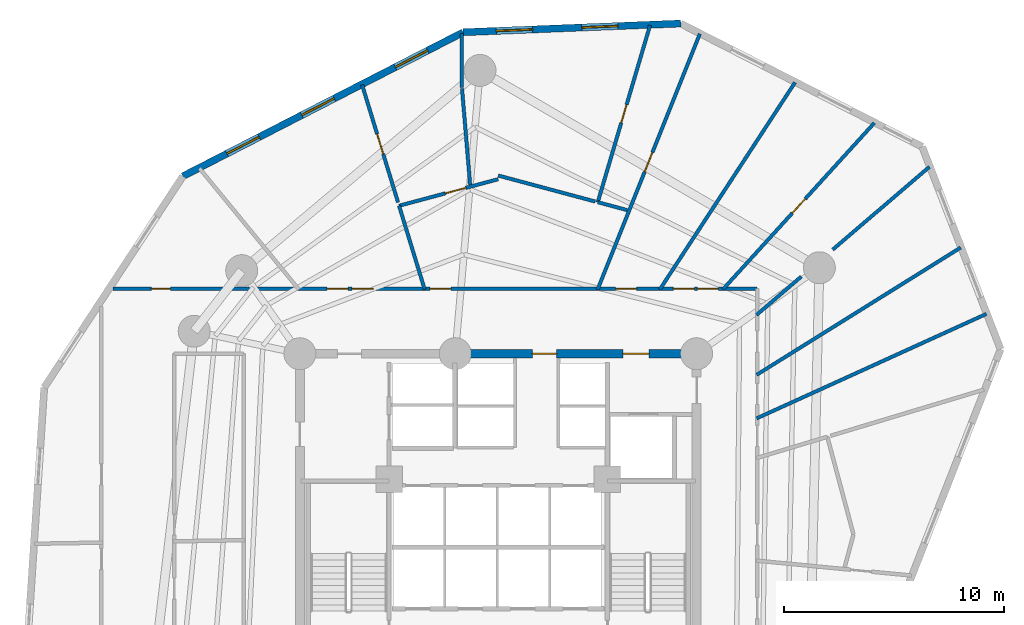
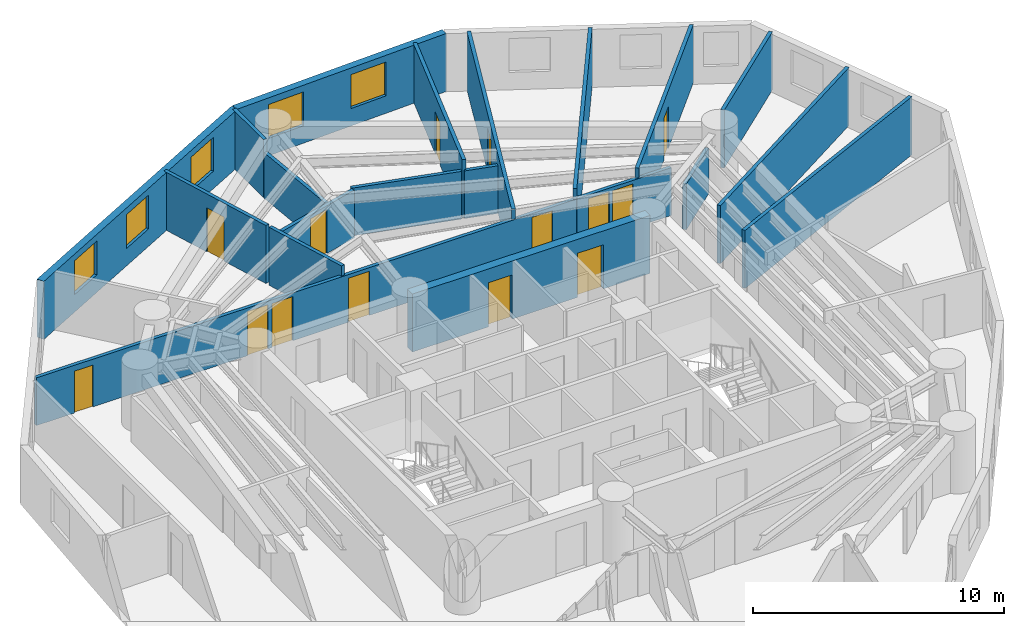
# One storey, part 6 of 8: 19 walls, 14 doors, 5 windows, 19 openings.
"""IFC4 building model written with IfcOpenShell, lengths in metres."""

from ifc_helpers import new_model, si_unit, direction, frame, frame_2d, origin, origin_with_axes, place, context, subcontext, project, spatial, rectangle, extrude, source, transform, mapped, material, layer, layer_set, type_object, element, fill, save


model = new_model("IFC4")

# Units and contexts
model_context = context("Model", 3, precision=1e-05, world=origin(), true_north=direction((0.0, 1.0)))
body_context = subcontext(model_context, "Body", "Model", "MODEL_VIEW")
ifc_project = project(units=[si_unit("LENGTHUNIT", "METRE"), si_unit("AREAUNIT", "SQUARE_METRE"), si_unit("VOLUMEUNIT", "CUBIC_METRE"), si_unit("PLANEANGLEUNIT", "RADIAN"), si_unit("MASSUNIT", "GRAM", prefix="KILO")], contexts=[model_context])

# Site, building, storey
site_placement = place(None, origin())
site = spatial("IfcSite", under=ifc_project, at=site_placement, CompositionType="ELEMENT")
building_placement = place(site_placement, origin())
building = spatial("IfcBuilding", under=site, at=building_placement, Name="Karkom Vertical University and Central Library", CompositionType="ELEMENT")
storey_placement = place(building_placement, frame((0.0, 0.0, 105.35009765625)))
storey = spatial("IfcBuildingStorey", under=building, at=storey_placement, Name="L28", CompositionType="ELEMENT", Elevation=105.35009765625)

# Wall, openings, windows
ifc_material_1 = material(Name="Brick-faced precast concrete C45/55", Category="masonry")
ifc_layer_1 = layer(ifc_material_1, 0.320068359375)
ifc_layer_set_1 = layer_set([ifc_layer_1], Name="Brick-faced precast concrete C45/55")
wall_type_1 = type_object("IfcWallType", Name="ENV-WL-BRK-320", PredefinedType="SOLIDWALL", material=ifc_layer_set_1)
wall_1_placement = place(storey_placement, frame((36.782958984375, 49.679443359375, 0.0), z_axis=(0.0, 0.0, 1.0), x_axis=(-0.999202063829, -0.039940401087, 0.0)))
wall_1 = element("IfcWall", 1, at=wall_1_placement, inside=storey, type_object=wall_type_1, Name="Level 28 Brick-Faced Precast Facade Wall 11", PredefinedType="SOLIDWALL", context=body_context, shape_type="SweptSolid", body=[
    extrude(rectangle(XDim=9.8779296875, YDim=0.320068359375, at=frame_2d((4.93896484375, 0.0))), origin(), (0.0, 0.0, 1.0), 2.824951171875),
])
opening_1_placement = place(wall_1_placement, frame((2.845947265625, 0.0, 0.85009765625)))
opening_1 = element("IfcOpeningElement", 2, at=opening_1_placement, cuts=wall_1, Name="Opening WN-06", PredefinedType="OPENING", context=body_context, shape_type="SweptSolid", body=[
    extrude(rectangle(XDim=1.64990234375, YDim=1.64990234375, at=frame_2d((0.824951171875, 0.824951171875))), frame((0.0, 0.169921875, 0.0), z_axis=(0.0, -1.0, 0.0), x_axis=(1.0, 0.0, 0.0)), (0.0, 0.0, 1.0), 0.340087890625),
])
opening_2_placement = place(wall_1_placement, frame((6.730712890625, 0.0, 0.85009765625)))
opening_2 = element("IfcOpeningElement", 3, at=opening_2_placement, cuts=wall_1, Name="Opening WN-06", PredefinedType="OPENING", context=body_context, shape_type="SweptSolid", body=[
    extrude(rectangle(XDim=1.64990234375, YDim=1.64990234375, at=frame_2d((0.824951171875, 0.824951171875))), frame((0.0, 0.169921875, 0.0), z_axis=(0.0, -1.0, 0.0), x_axis=(1.0, 0.0, 0.0)), (0.0, 0.0, 1.0), 0.340087890625),
])
ifc_material_2 = material(Name="Aluminium thermal-break frame with solar-control IGU", Category="aluminium")
window_type = type_object("IfcWindowType", Name="ENV-WIN-WN-06", PartitioningType="SINGLE_PANEL", PredefinedType="WINDOW", material=ifc_material_2)
shared_shape_1 = source(origin_with_axes(), body_context, "Body", "SweptSolid", [
    extrude(rectangle(XDim=1.64990234375, YDim=1.64990234375, at=frame_2d((0.824951171875, 0.824951171875))), frame((0.0, 0.030029296875, 0.0), z_axis=(0.0, -1.0, 0.0), x_axis=(1.0, 0.0, 0.0)), (0.0, 0.0, 1.0), 0.06005859375),
])
window_1_placement = place(opening_1_placement, origin())
window_1 = element("IfcWindow", 4, at=window_1_placement, inside=storey, type_object=window_type, Name="Level 28 Punched Window 11.1", OverallHeight=1.64990234375, OverallWidth=1.64990234375, PartitioningType="SINGLE_PANEL", PredefinedType="WINDOW", context=body_context, shape_type="MappedRepresentation", body=[
    mapped(shared_shape_1, transform((0.0, 0.0, 0.0), scale=1.0)),
])
fill(opening_1, window_1)
window_2_placement = place(opening_2_placement, origin())
window_2 = element("IfcWindow", 5, at=window_2_placement, inside=storey, type_object=window_type, Name="Level 28 Punched Window 11.2", OverallHeight=1.64990234375, OverallWidth=1.64990234375, PartitioningType="SINGLE_PANEL", PredefinedType="WINDOW", context=body_context, shape_type="MappedRepresentation", body=[
    mapped(shared_shape_1, transform((0.0, 0.0, 0.0), scale=1.0)),
])
fill(opening_2, window_2)

wall_2_placement = place(storey_placement, frame((26.912841796875, 49.284912109375, 0.0), z_axis=(0.0, 0.0, 1.0), x_axis=(-0.889547707618, -0.456842287745, 0.0)))
wall_2 = element("IfcWall", 6, at=wall_2_placement, inside=storey, type_object=wall_type_1, Name="Level 28 Brick-Faced Precast Facade Wall 12", PredefinedType="SOLIDWALL", context=body_context, shape_type="SweptSolid", body=[
    extrude(rectangle(XDim=14.302490234375, YDim=0.320068359375, at=frame_2d((7.1513671875, 0.0))), origin(), (0.0, 0.0, 1.0), 2.824951171875),
])
opening_3_placement = place(wall_2_placement, frame((1.813232421875, 0.0, 0.85009765625)))
opening_3 = element("IfcOpeningElement", 7, at=opening_3_placement, cuts=wall_2, Name="Opening WN-06", PredefinedType="OPENING", context=body_context, shape_type="SweptSolid", body=[
    extrude(rectangle(XDim=1.64990234375, YDim=1.64990234375, at=frame_2d((0.824951171875, 0.824951171875))), frame((0.0, 0.169921875, 0.0), z_axis=(0.0, -1.0, 0.0), x_axis=(1.0, 0.0, 0.0)), (0.0, 0.0, 1.0), 0.340087890625),
])
opening_4_placement = place(wall_2_placement, frame((6.5830078125, 0.0, 0.85009765625)))
opening_4 = element("IfcOpeningElement", 8, at=opening_4_placement, cuts=wall_2, Name="Opening WN-06", PredefinedType="OPENING", context=body_context, shape_type="SweptSolid", body=[
    extrude(rectangle(XDim=1.64990234375, YDim=1.64990234375, at=frame_2d((0.824951171875, 0.824951171875))), frame((0.0, 0.169921875, 0.0), z_axis=(0.0, -1.0, 0.0), x_axis=(1.0, 0.0, 0.0)), (0.0, 0.0, 1.0), 0.340087890625),
])
opening_5_placement = place(wall_2_placement, frame((10.402587890625, 0.0, 0.85009765625)))
opening_5 = element("IfcOpeningElement", 9, at=opening_5_placement, cuts=wall_2, Name="Opening WN-06", PredefinedType="OPENING", context=body_context, shape_type="SweptSolid", body=[
    extrude(rectangle(XDim=1.64990234375, YDim=1.64990234375, at=frame_2d((0.824951171875, 0.824951171875))), frame((0.0, 0.169921875, 0.0), z_axis=(0.0, -1.0, 0.0), x_axis=(1.0, 0.0, 0.0)), (0.0, 0.0, 1.0), 0.340087890625),
])
window_3_placement = place(opening_3_placement, origin())
window_3 = element("IfcWindow", 10, at=window_3_placement, inside=storey, type_object=window_type, Name="Level 28 Punched Window 12.1", OverallHeight=1.64990234375, OverallWidth=1.64990234375, PartitioningType="SINGLE_PANEL", PredefinedType="WINDOW", context=body_context, shape_type="MappedRepresentation", body=[
    mapped(shared_shape_1, transform((0.0, 0.0, 0.0), scale=1.0)),
])
fill(opening_3, window_3)
window_4_placement = place(opening_4_placement, origin())
window_4 = element("IfcWindow", 11, at=window_4_placement, inside=storey, type_object=window_type, Name="Level 28 Punched Window 12.2", OverallHeight=1.64990234375, OverallWidth=1.64990234375, PartitioningType="SINGLE_PANEL", PredefinedType="WINDOW", context=body_context, shape_type="MappedRepresentation", body=[
    mapped(shared_shape_1, transform((0.0, 0.0, 0.0), scale=1.0)),
])
fill(opening_4, window_4)
window_5_placement = place(opening_5_placement, origin())
window_5 = element("IfcWindow", 12, at=window_5_placement, inside=storey, type_object=window_type, Name="Level 28 Punched Window 12.3", OverallHeight=1.64990234375, OverallWidth=1.64990234375, PartitioningType="SINGLE_PANEL", PredefinedType="WINDOW", context=body_context, shape_type="MappedRepresentation", body=[
    mapped(shared_shape_1, transform((0.0, 0.0, 0.0), scale=1.0)),
])
fill(opening_5, window_5)

# Wall, openings, doors
ifc_material_3 = material(Name="Insulated metal-stud drywall 160mm", Category="gypsum")
ifc_layer_2 = layer(ifc_material_3, 0.159912109375)
ifc_layer_set_2 = layer_set([ifc_layer_2], Name="Insulated metal-stud drywall 160mm")
wall_type_2 = type_object("IfcWallType", Name="INT-WL-COR-160", PredefinedType="PARTITIONING", material=ifc_layer_set_2)
wall_3_placement = place(storey_placement, frame((11.018310546875, 37.64990234375, 0.0), z_axis=(0.0, 0.0, 1.0), x_axis=(1.0, 0.0, 0.0)))
wall_3 = element("IfcWall", 13, at=wall_3_placement, inside=storey, type_object=wall_type_2, Name="Level 28 Interior Partition Wall L28-CORW-CW-003", PredefinedType="PARTITIONING", context=body_context, shape_type="SweptSolid", body=[
    extrude(rectangle(XDim=29.231689453125, YDim=0.159912109375, at=frame_2d((14.61572265625, 0.0))), origin(), (0.0, 0.0, 1.0), 2.324951171875),
])
opening_6_placement = place(wall_3_placement, frame((26.5185546875, 0.0, 0.0)))
opening_6 = element("IfcOpeningElement", 14, at=opening_6_placement, cuts=wall_3, Name="Opening D-RM1", PredefinedType="OPENING", context=body_context, shape_type="SweptSolid", body=[
    extrude(rectangle(XDim=0.949951171875, YDim=2.14990234375, at=frame_2d((0.47509765625, 1.074951171875))), frame((0.0, 0.08984375, 0.0), z_axis=(0.0, -1.0, 0.0), x_axis=(1.0, 0.0, 0.0)), (0.0, 0.0, 1.0), 0.179931640625),
])
opening_7_placement = place(wall_3_placement, frame((25.425537109375, 0.0, 0.0)))
opening_7 = element("IfcOpeningElement", 15, at=opening_7_placement, cuts=wall_3, Name="Opening D-RM1", PredefinedType="OPENING", context=body_context, shape_type="SweptSolid", body=[
    extrude(rectangle(XDim=0.949951171875, YDim=2.14990234375, at=frame_2d((0.47509765625, 1.074951171875))), frame((0.0, 0.08984375, 0.0), z_axis=(0.0, -1.0, 0.0), x_axis=(1.0, 0.0, 0.0)), (0.0, 0.0, 1.0), 0.179931640625),
])
opening_8_placement = place(wall_3_placement, frame((22.804931640625, 0.0, 0.0)))
opening_8 = element("IfcOpeningElement", 16, at=opening_8_placement, cuts=wall_3, Name="Opening FD-RM2", PredefinedType="OPENING", context=body_context, shape_type="SweptSolid", body=[
    extrude(rectangle(XDim=0.9599609375, YDim=2.14990234375, at=frame_2d((0.47998046875, 1.074951171875))), frame((0.0, 0.08984375, 0.0), z_axis=(0.0, -1.0, 0.0), x_axis=(1.0, 0.0, 0.0)), (0.0, 0.0, 1.0), 0.179931640625),
])
opening_9_placement = place(wall_3_placement, frame((14.37548828125, 0.0, 0.0)))
opening_9 = element("IfcOpeningElement", 17, at=opening_9_placement, cuts=wall_3, Name="Opening FD-RM2", PredefinedType="OPENING", context=body_context, shape_type="SweptSolid", body=[
    extrude(rectangle(XDim=0.9599609375, YDim=2.14990234375, at=frame_2d((0.47998046875, 1.074951171875))), frame((0.0, 0.08984375, 0.0), z_axis=(0.0, -1.0, 0.0), x_axis=(1.0, 0.0, 0.0)), (0.0, 0.0, 1.0), 0.179931640625),
])
opening_10_placement = place(wall_3_placement, frame((9.71728515625, 0.0, 0.0)))
opening_10 = element("IfcOpeningElement", 18, at=opening_10_placement, cuts=wall_3, Name="Opening D-RM1", PredefinedType="OPENING", context=body_context, shape_type="SweptSolid", body=[
    extrude(rectangle(XDim=0.949951171875, YDim=2.14990234375, at=frame_2d((0.47509765625, 1.074951171875))), frame((0.0, 0.08984375, 0.0), z_axis=(0.0, -1.0, 0.0), x_axis=(1.0, 0.0, 0.0)), (0.0, 0.0, 1.0), 0.179931640625),
])
opening_11_placement = place(wall_3_placement, frame((10.84521484375, 0.0, 0.0)))
opening_11 = element("IfcOpeningElement", 19, at=opening_11_placement, cuts=wall_3, Name="Opening FD-RM2", PredefinedType="OPENING", context=body_context, shape_type="SweptSolid", body=[
    extrude(rectangle(XDim=0.9599609375, YDim=2.14990234375, at=frame_2d((0.47998046875, 1.074951171875))), frame((0.0, 0.08984375, 0.0), z_axis=(0.0, -1.0, 0.0), x_axis=(1.0, 0.0, 0.0)), (0.0, 0.0, 1.0), 0.179931640625),
])
opening_12_placement = place(wall_3_placement, frame((1.750732421875, 0.0, 0.0)))
opening_12 = element("IfcOpeningElement", 20, at=opening_12_placement, cuts=wall_3, Name="Opening FD-BTH2", PredefinedType="OPENING", context=body_context, shape_type="SweptSolid", body=[
    extrude(rectangle(XDim=0.860107421875, YDim=2.0400390625, at=frame_2d((0.43017578125, 1.02001953125))), frame((0.0, 0.08984375, 0.0), z_axis=(0.0, -1.0, 0.0), x_axis=(1.0, 0.0, 0.0)), (0.0, 0.0, 1.0), 0.179931640625),
])
ifc_material_4 = material(Name="Fire-rated oak veneer door", Category="wood")
door_type_1 = type_object("IfcDoorType", Name="INT-DR-FRM2", OperationType="NOTDEFINED", PredefinedType="DOOR", material=ifc_material_4)
shared_shape_2 = source(origin_with_axes(), body_context, "Body", "SweptSolid", [
    extrude(rectangle(XDim=0.9599609375, YDim=2.14990234375, at=frame_2d((0.47998046875, 1.074951171875))), frame((0.0, 0.02490234375, 0.0), z_axis=(0.0, -1.0, 0.0), x_axis=(1.0, 0.0, 0.0)), (0.0, 0.0, 1.0), 0.050048828125),
])
door_1_placement = place(opening_8_placement, origin())
door_1 = element("IfcDoor", 21, at=door_1_placement, inside=storey, type_object=door_type_1, Name="Level 28 Room Entry Door 180", OperationType="SINGLE_SWING_LEFT", OverallHeight=2.14990234375, OverallWidth=0.9599609375, PredefinedType="DOOR", context=body_context, shape_type="MappedRepresentation", body=[
    mapped(shared_shape_2, transform((0.0, 0.0, 0.0), scale=1.0)),
])
fill(opening_8, door_1)
door_2_placement = place(opening_9_placement, origin())
door_2 = element("IfcDoor", 22, at=door_2_placement, inside=storey, type_object=door_type_1, Name="Level 28 Room Entry Door 210", OperationType="SINGLE_SWING_RIGHT", OverallHeight=2.14990234375, OverallWidth=0.9599609375, PredefinedType="DOOR", context=body_context, shape_type="MappedRepresentation", body=[
    mapped(shared_shape_2, transform((0.0, 0.0, 0.0), scale=1.0)),
])
fill(opening_9, door_2)
door_3_placement = place(opening_11_placement, origin())
door_3 = element("IfcDoor", 23, at=door_3_placement, inside=storey, type_object=door_type_1, Name="Level 28 Room Entry Door 240", OperationType="SINGLE_SWING_RIGHT", OverallHeight=2.14990234375, OverallWidth=0.9599609375, PredefinedType="DOOR", context=body_context, shape_type="MappedRepresentation", body=[
    mapped(shared_shape_2, transform((0.0, 0.0, 0.0), scale=1.0)),
])
fill(opening_11, door_3)
ifc_material_5 = material(Name="Fire-rated moisture-resistant oak door", Category="wood")
door_type_2 = type_object("IfcDoorType", Name="INT-DR-FBTH2", OperationType="NOTDEFINED", PredefinedType="DOOR", material=ifc_material_5)
shared_shape_3 = source(origin_with_axes(), body_context, "Body", "SweptSolid", [
    extrude(rectangle(XDim=0.860107421875, YDim=2.0400390625, at=frame_2d((0.43017578125, 1.02001953125))), frame((0.0, 0.02490234375, 0.0), z_axis=(0.0, -1.0, 0.0), x_axis=(1.0, 0.0, 0.0)), (0.0, 0.0, 1.0), 0.050048828125),
])
door_4_placement = place(opening_12_placement, origin())
door_4 = element("IfcDoor", 24, at=door_4_placement, inside=storey, type_object=door_type_2, Name="Level 28 University Seminar Classroom Entry Door", OperationType="SINGLE_SWING_RIGHT", OverallHeight=2.0400390625, OverallWidth=0.860107421875, PredefinedType="DOOR", context=body_context, shape_type="MappedRepresentation", body=[
    mapped(shared_shape_3, transform((0.0, 0.0, 0.0), scale=1.0)),
])
fill(opening_12, door_4)
ifc_material_6 = material(Name="Solid-core oak veneer door", Category="wood")
door_type_3 = type_object("IfcDoorType", Name="INT-DR-RM1", OperationType="NOTDEFINED", PredefinedType="DOOR", material=ifc_material_6)
shared_shape_4 = source(origin_with_axes(), body_context, "Body", "SweptSolid", [
    extrude(rectangle(XDim=0.949951171875, YDim=2.14990234375, at=frame_2d((0.47509765625, 1.074951171875))), frame((0.0, 0.02490234375, 0.0), z_axis=(0.0, -1.0, 0.0), x_axis=(1.0, 0.0, 0.0)), (0.0, 0.0, 1.0), 0.050048828125),
])
door_5_placement = place(opening_6_placement, origin())
door_5 = element("IfcDoor", 25, at=door_5_placement, inside=storey, type_object=door_type_3, Name="Level 28 Room Entry Door 160", OperationType="SINGLE_SWING_LEFT", OverallHeight=2.14990234375, OverallWidth=0.949951171875, PredefinedType="DOOR", context=body_context, shape_type="MappedRepresentation", body=[
    mapped(shared_shape_4, transform((0.0, 0.0, 0.0), scale=1.0)),
])
fill(opening_6, door_5)
door_6_placement = place(opening_7_placement, origin())
door_6 = element("IfcDoor", 26, at=door_6_placement, inside=storey, type_object=door_type_3, Name="Level 28 Room Entry Door 170", OperationType="SINGLE_SWING_RIGHT", OverallHeight=2.14990234375, OverallWidth=0.949951171875, PredefinedType="DOOR", context=body_context, shape_type="MappedRepresentation", body=[
    mapped(shared_shape_4, transform((0.0, 0.0, 0.0), scale=1.0)),
])
fill(opening_7, door_6)
door_7_placement = place(opening_10_placement, origin())
door_7 = element("IfcDoor", 27, at=door_7_placement, inside=storey, type_object=door_type_3, Name="Level 28 Room Entry Door 230", OperationType="SINGLE_SWING_LEFT", OverallHeight=2.14990234375, OverallWidth=0.949951171875, PredefinedType="DOOR", context=body_context, shape_type="MappedRepresentation", body=[
    mapped(shared_shape_4, transform((0.0, 0.0, 0.0), scale=1.0)),
])
fill(opening_10, door_7)

# Wall, opening, door
wall_4_placement = place(storey_placement, frame((33.006591796875, 37.608154296875, 0.0), z_axis=(0.0, 0.0, 1.0), x_axis=(0.371289618401, 0.928517107687, 0.0)))
wall_4 = element("IfcWall", 28, at=wall_4_placement, inside=storey, type_object=wall_type_2, Name="Level 28 Interior Partition Wall L28-PW-026", PredefinedType="PARTITIONING", context=body_context, shape_type="SweptSolid", body=[
    extrude(rectangle(XDim=12.49609375, YDim=0.159912109375, at=frame_2d((6.248046875, 0.0))), origin(), (0.0, 0.0, 1.0), 2.824951171875),
])
opening_13_placement = place(wall_4_placement, frame((5.748046875, 0.0, 0.0)))
opening_13 = element("IfcOpeningElement", 29, at=opening_13_placement, cuts=wall_4, Name="Opening D-RM1", PredefinedType="OPENING", context=body_context, shape_type="SweptSolid", body=[
    extrude(rectangle(XDim=0.949951171875, YDim=2.14990234375, at=frame_2d((0.47509765625, 1.074951171875))), frame((0.0, 0.08984375, 0.0), z_axis=(0.0, -1.0, 0.0), x_axis=(1.0, 0.0, 0.0)), (0.0, 0.0, 1.0), 0.179931640625),
])
door_8_placement = place(opening_13_placement, origin())
door_8 = element("IfcDoor", 30, at=door_8_placement, inside=storey, type_object=door_type_3, Name="Level 28 Room Entry Door 190", OperationType="SINGLE_SWING_LEFT", OverallHeight=2.14990234375, OverallWidth=0.949951171875, PredefinedType="DOOR", context=body_context, shape_type="MappedRepresentation", body=[
    mapped(shared_shape_4, transform((0.0, 0.0, 0.0), scale=1.0)),
])
fill(opening_13, door_8)

# Walls
wall_5_placement = place(storey_placement, frame((40.22265625, 31.764892578125, 0.0), z_axis=(0.0, 0.0, 1.0), x_axis=(0.910305874459, 0.413936245, 0.0)))
element("IfcWall", 31, at=wall_5_placement, inside=storey, type_object=wall_type_2, Name="Level 28 Interior Partition Wall L28-PW-020", PredefinedType="PARTITIONING", context=body_context, shape_type="SweptSolid", body=[
    extrude(rectangle(XDim=11.452880859375, YDim=0.159912109375, at=frame_2d((5.7265625, 0.0))), origin(), (0.0, 0.0, 1.0), 2.824951171875),
])
wall_6_placement = place(storey_placement, frame((35.82958984375, 37.6123046875, 0.0), z_axis=(0.0, 0.0, 1.0), x_axis=(0.546828428928, 0.837244689034, 0.0)))
element("IfcWall", 32, at=wall_6_placement, inside=storey, type_object=wall_type_2, Name="Level 28 Interior Partition Wall L28-PW-025", PredefinedType="PARTITIONING", context=body_context, shape_type="SweptSolid", body=[
    extrude(rectangle(XDim=11.221923828125, YDim=0.159912109375, at=frame_2d((5.61083984375, 0.0))), origin(), (0.0, 0.0, 1.0), 2.824951171875),
])
wall_7_placement = place(storey_placement, frame((40.224609375, 33.7421875, 0.0), z_axis=(0.0, 0.0, 1.0), x_axis=(0.848478174112, 0.52923037333, 0.0)))
element("IfcWall", 33, at=wall_7_placement, inside=storey, type_object=wall_type_2, Name="Level 28 Interior Partition Wall L28-PW-021", PredefinedType="PARTITIONING", context=body_context, shape_type="SweptSolid", body=[
    extrude(rectangle(XDim=10.910400390625, YDim=0.159912109375, at=frame_2d((5.455078125, 0.0))), origin(), (0.0, 0.0, 1.0), 2.824951171875),
])

# Wall, opening, door
wall_8_placement = place(storey_placement, frame((38.7021484375, 37.627685546875, 0.0), z_axis=(0.0, 0.0, 1.0), x_axis=(0.672855104657, 0.739774295402, 0.0)))
wall_8 = element("IfcWall", 34, at=wall_8_placement, inside=storey, type_object=wall_type_2, Name="Level 28 Interior Partition Wall L28-PW-024", PredefinedType="PARTITIONING", context=body_context, shape_type="SweptSolid", body=[
    extrude(rectangle(XDim=10.197021484375, YDim=0.159912109375, at=frame_2d((5.0986328125, 0.0))), origin(), (0.0, 0.0, 1.0), 2.824951171875),
])
opening_14_placement = place(wall_8_placement, frame((4.66845703125, 0.0, 0.0)))
opening_14 = element("IfcOpeningElement", 35, at=opening_14_placement, cuts=wall_8, Name="Opening FD-BTH2", PredefinedType="OPENING", context=body_context, shape_type="SweptSolid", body=[
    extrude(rectangle(XDim=0.860107421875, YDim=2.0400390625, at=frame_2d((0.43017578125, 1.02001953125))), frame((0.0, 0.08984375, 0.0), z_axis=(0.0, -1.0, 0.0), x_axis=(1.0, 0.0, 0.0)), (0.0, 0.0, 1.0), 0.179931640625),
])
door_9_placement = place(opening_14_placement, origin())
door_9 = element("IfcDoor", 36, at=door_9_placement, inside=storey, type_object=door_type_2, Name="Level 28 Departmental Reference Reading Library Entry Door", OperationType="SINGLE_SWING_RIGHT", OverallHeight=2.0400390625, OverallWidth=0.860107421875, PredefinedType="DOOR", context=body_context, shape_type="MappedRepresentation", body=[
    mapped(shared_shape_3, transform((0.0, 0.0, 0.0), scale=1.0)),
])
fill(opening_14, door_9)

wall_9_placement = place(storey_placement, frame((33.016845703125, 41.572509765625, 0.0), z_axis=(0.0, 0.0, 1.0), x_axis=(0.283401651714, 0.959001305424, 0.0)))
wall_9 = element("IfcWall", 37, at=wall_9_placement, inside=storey, type_object=wall_type_2, Name="Level 28 Interior Partition Wall L28-PW-027", PredefinedType="PARTITIONING", context=body_context, shape_type="SweptSolid", body=[
    extrude(rectangle(XDim=8.36572265625, YDim=0.159912109375, at=frame_2d((4.182861328125, 0.0))), origin(), (0.0, 0.0, 1.0), 2.824951171875),
])
opening_15_placement = place(wall_9_placement, frame((3.752685546875, 0.0, 0.0)))
opening_15 = element("IfcOpeningElement", 38, at=opening_15_placement, cuts=wall_9, Name="Opening FD-BTH2", PredefinedType="OPENING", context=body_context, shape_type="SweptSolid", body=[
    extrude(rectangle(XDim=0.860107421875, YDim=2.0400390625, at=frame_2d((0.43017578125, 1.02001953125))), frame((0.0, 0.08984375, 0.0), z_axis=(0.0, -1.0, 0.0), x_axis=(1.0, 0.0, 0.0)), (0.0, 0.0, 1.0), 0.179931640625),
])
door_10_placement = place(opening_15_placement, origin())
door_10 = element("IfcDoor", 39, at=door_10_placement, inside=storey, type_object=door_type_2, Name="Level 28 Departmental Reference Reading Library Entry Door", OperationType="SINGLE_SWING_LEFT", OverallHeight=2.0400390625, OverallWidth=0.860107421875, PredefinedType="DOOR", context=body_context, shape_type="MappedRepresentation", body=[
    mapped(shared_shape_3, transform((0.0, 0.0, 0.0), scale=1.0)),
])
fill(opening_15, door_10)

# Wall
wall_10_placement = place(storey_placement, frame((43.674072265625, 39.419921875, 0.0), z_axis=(0.0, 0.0, 1.0), x_axis=(0.759429558406, 0.650589537128, 0.0)))
element("IfcWall", 40, at=wall_10_placement, inside=storey, type_object=wall_type_2, Name="Level 28 Interior Partition Wall L28-PW-022", PredefinedType="PARTITIONING", context=body_context, shape_type="SweptSolid", body=[
    extrude(rectangle(XDim=5.7783203125, YDim=0.159912109375, at=frame_2d((2.88916015625, 0.0))), origin(), (0.0, 0.0, 1.0), 2.824951171875),
])

# Wall, opening, door
wall_11_placement = place(storey_placement, frame((23.95556640625, 41.565185546875, 0.0), z_axis=(0.0, 0.0, 1.0), x_axis=(-0.292467613213, 0.956275428536, 0.0)))
wall_11 = element("IfcWall", 41, at=wall_11_placement, inside=storey, type_object=wall_type_2, Name="Level 28 Interior Partition Wall L28-PW-036", PredefinedType="PARTITIONING", context=body_context, shape_type="SweptSolid", body=[
    extrude(rectangle(XDim=5.577880859375, YDim=0.159912109375, at=frame_2d((2.7890625, 0.0))), origin(), (0.0, 0.0, 1.0), 2.824951171875),
])
opening_16_placement = place(wall_11_placement, frame((2.29638671875, 0.0, 0.0)))
opening_16 = element("IfcOpeningElement", 42, at=opening_16_placement, cuts=wall_11, Name="Opening D-RM1", PredefinedType="OPENING", context=body_context, shape_type="SweptSolid", body=[
    extrude(rectangle(XDim=0.949951171875, YDim=2.14990234375, at=frame_2d((0.47509765625, 1.074951171875))), frame((0.0, 0.08984375, 0.0), z_axis=(0.0, -1.0, 0.0), x_axis=(1.0, 0.0, 0.0)), (0.0, 0.0, 1.0), 0.179931640625),
])
door_11_placement = place(opening_16_placement, origin())
door_11 = element("IfcDoor", 43, at=door_11_placement, inside=storey, type_object=door_type_3, Name="Level 28 Room Entry Door 220", OperationType="SINGLE_SWING_LEFT", OverallHeight=2.14990234375, OverallWidth=0.949951171875, PredefinedType="DOOR", context=body_context, shape_type="MappedRepresentation", body=[
    mapped(shared_shape_4, transform((0.0, 0.0, 0.0), scale=1.0)),
])
fill(opening_16, door_11)

wall_12_placement = place(storey_placement, frame((24.002197265625, 41.412109375, 0.0), z_axis=(0.0, 0.0, 1.0), x_axis=(0.965931435786, 0.258798109268, 0.0)))
wall_12 = element("IfcWall", 44, at=wall_12_placement, inside=storey, type_object=wall_type_2, Name="Level 28 Interior Partition Wall L28-PW-034", PredefinedType="PARTITIONING", context=body_context, shape_type="SweptSolid", body=[
    extrude(rectangle(XDim=4.656494140625, YDim=0.159912109375, at=frame_2d((2.328125, 0.0))), origin(), (0.0, 0.0, 1.0), 2.324951171875),
])
opening_17_placement = place(wall_12_placement, frame((2.17724609375, 0.0, 0.0)))
opening_17 = element("IfcOpeningElement", 45, at=opening_17_placement, cuts=wall_12, Name="Opening D-RM1", PredefinedType="OPENING", context=body_context, shape_type="SweptSolid", body=[
    extrude(rectangle(XDim=0.949951171875, YDim=2.14990234375, at=frame_2d((0.47509765625, 1.074951171875))), frame((0.0, 0.08984375, 0.0), z_axis=(0.0, -1.0, 0.0), x_axis=(1.0, 0.0, 0.0)), (0.0, 0.0, 1.0), 0.179931640625),
])
door_12_placement = place(opening_17_placement, origin())
door_12 = element("IfcDoor", 46, at=door_12_placement, inside=storey, type_object=door_type_3, Name="Level 28 Room Entry Door 200", OperationType="SINGLE_SWING_RIGHT", OverallHeight=2.14990234375, OverallWidth=0.949951171875, PredefinedType="DOOR", context=body_context, shape_type="MappedRepresentation", body=[
    mapped(shared_shape_4, transform((0.0, 0.0, 0.0), scale=1.0)),
])
fill(opening_17, door_12)

# Walls
wall_13_placement = place(storey_placement, frame((32.90087890625, 41.603515625, 0.0), z_axis=(0.0, 0.0, 1.0), x_axis=(-0.965926524805, 0.25881643819, 0.0)))
element("IfcWall", 47, at=wall_13_placement, inside=storey, type_object=wall_type_2, Name="Level 28 Interior Partition Wall L28-PW-030", PredefinedType="PARTITIONING", context=body_context, shape_type="SweptSolid", body=[
    extrude(rectangle(XDim=4.55615234375, YDim=0.159912109375, at=frame_2d((2.278076171875, 0.0))), origin(), (0.0, 0.0, 1.0), 2.324951171875),
])
wall_14_placement = place(storey_placement, frame((27.22509765625, 42.365478515625, 0.0), z_axis=(0.0, 0.0, 1.0), x_axis=(-0.083870997944, 0.996476620751, 0.0)))
element("IfcWall", 48, at=wall_14_placement, inside=storey, type_object=wall_type_2, Name="Level 28 Interior Partition Wall L28-PW-031", PredefinedType="PARTITIONING", context=body_context, shape_type="SweptSolid", body=[
    extrude(rectangle(XDim=4.380859375, YDim=0.159912109375, at=frame_2d((2.1904296875, 0.0))), origin(), (0.0, 0.0, 1.0), 2.224853515625),
])
wall_15_placement = place(storey_placement, frame((25.16162109375, 37.621337890625, 0.0), z_axis=(0.0, 0.0, 1.0), x_axis=(-0.292479826773, 0.956271693051, 0.0)))
element("IfcWall", 49, at=wall_15_placement, inside=storey, type_object=wall_type_2, Name="Level 28 Interior Partition Wall L28-PW-035", PredefinedType="PARTITIONING", context=body_context, shape_type="SweptSolid", body=[
    extrude(rectangle(XDim=3.964111328125, YDim=0.159912109375, at=frame_2d((1.98193359375, 0.0))), origin(), (0.0, 0.0, 1.0), 2.824951171875),
])
wall_16_placement = place(storey_placement, frame((40.2158203125, 36.45751953125, 0.0), z_axis=(0.0, 0.0, 1.0), x_axis=(0.75946888982, 0.650543622977, 0.0)))
element("IfcWall", 50, at=wall_16_placement, inside=storey, type_object=wall_type_2, Name="Level 28 Interior Partition Wall L28-PW-023", PredefinedType="PARTITIONING", context=body_context, shape_type="SweptSolid", body=[
    extrude(rectangle(XDim=2.678466796875, YDim=0.159912109375, at=frame_2d((1.33935546875, 0.0))), origin(), (0.0, 0.0, 1.0), 2.224853515625),
])
wall_17_placement = place(storey_placement, frame((26.85400390625, 49.218505859375, 0.0), z_axis=(0.0, 0.0, 1.0), x_axis=(0.0, -1.0, 0.0)))
element("IfcWall", 51, at=wall_17_placement, inside=storey, type_object=wall_type_2, Name="Level 28 Interior Partition Wall L28-PW-032", PredefinedType="PARTITIONING", context=body_context, shape_type="SweptSolid", body=[
    extrude(rectangle(XDim=2.444580078125, YDim=0.159912109375, at=frame_2d((1.22216796875, 0.0))), origin(), (0.0, 0.0, 1.0), 2.824951171875),
])
wall_18_placement = place(storey_placement, frame((34.354736328125, 41.214111328125, 0.0), z_axis=(0.0, 0.0, 1.0), x_axis=(-0.96594175785, 0.258759580387, 0.0)))
element("IfcWall", 52, at=wall_18_placement, inside=storey, type_object=wall_type_2, Name="Level 28 Interior Partition Wall L28-PW-028", PredefinedType="PARTITIONING", context=body_context, shape_type="SweptSolid", body=[
    extrude(rectangle(XDim=1.385009765625, YDim=0.159912109375, at=frame_2d((0.6923828125, 0.0))), origin(), (0.0, 0.0, 1.0), 2.324951171875),
])

# Wall, openings, doors
ifc_material_7 = material(Name="Concrete C50/60", Category="concrete")
ifc_layer_3 = layer(ifc_material_7, 0.39990234375)
ifc_layer_set_3 = layer_set([ifc_layer_3], Name="Concrete C50/60")
wall_type_3 = type_object("IfcWallType", Name="STR-WL-CW-400", PredefinedType="SHEAR", material=ifc_layer_set_3)
wall_19_placement = place(storey_placement, frame((37.5, 34.699951171875, 0.0), z_axis=(0.0, 0.0, 1.0), x_axis=(-1.0, 0.0, 0.0)))
wall_19 = element("IfcWall", 53, at=wall_19_placement, inside=storey, type_object=wall_type_3, Name="Level 28 Central Core Shear Wall NW1", PredefinedType="SHEAR", context=body_context, shape_type="SweptSolid", body=[
    extrude(rectangle(XDim=10.949951171875, YDim=0.39990234375, at=frame_2d((5.47509765625, 0.0))), origin(), (0.0, 0.0, 1.0), 2.824951171875),
])
opening_18_placement = place(wall_19_placement, frame((2.14990234375, 0.0, 0.0)))
opening_18 = element("IfcOpeningElement", 54, at=opening_18_placement, cuts=wall_19, Name="Opening FD-SUB1", PredefinedType="OPENING", context=body_context, shape_type="SweptSolid", body=[
    extrude(rectangle(XDim=1.199951171875, YDim=2.14990234375, at=frame_2d((0.60009765625, 1.074951171875))), frame((0.0, 0.2099609375, 0.0), z_axis=(0.0, -1.0, 0.0), x_axis=(1.0, 0.0, 0.0)), (0.0, 0.0, 1.0), 0.419921875),
])
opening_19_placement = place(wall_19_placement, frame((6.35009765625, 0.0, 0.0)))
opening_19 = element("IfcOpeningElement", 55, at=opening_19_placement, cuts=wall_19, Name="Opening FD-FFL", PredefinedType="OPENING", context=body_context, shape_type="SweptSolid", body=[
    extrude(rectangle(XDim=1.10009765625, YDim=2.14990234375, at=frame_2d((0.550048828125, 1.074951171875))), frame((0.0, 0.2099609375, 0.0), z_axis=(0.0, -1.0, 0.0), x_axis=(1.0, 0.0, 0.0)), (0.0, 0.0, 1.0), 0.419921875),
])
ifc_material_8 = material(Name="Painted steel smoke-seal fire door", Category="steel")
door_type_4 = type_object("IfcDoorType", Name="INT-DR-FFL", OperationType="NOTDEFINED", PredefinedType="DOOR", material=ifc_material_8)
shared_shape_5 = source(origin_with_axes(), body_context, "Body", "SweptSolid", [
    extrude(rectangle(XDim=1.10009765625, YDim=2.14990234375, at=frame_2d((0.550048828125, 1.074951171875))), frame((0.0, 0.02490234375, 0.0), z_axis=(0.0, -1.0, 0.0), x_axis=(1.0, 0.0, 0.0)), (0.0, 0.0, 1.0), 0.050048828125),
])
door_13_placement = place(opening_19_placement, origin())
door_13 = element("IfcDoor", 56, at=door_13_placement, inside=storey, type_object=door_type_4, Name="Level 28 North Core Lobby Exit Door", OperationType="SINGLE_SWING_RIGHT", OverallHeight=2.14990234375, OverallWidth=1.10009765625, PredefinedType="DOOR", context=body_context, shape_type="MappedRepresentation", body=[
    mapped(shared_shape_5, transform((0.0, 0.0, 0.0), scale=1.0)),
])
fill(opening_19, door_13)
ifc_material_9 = material(Name="Painted steel fire door", Category="steel")
door_type_5 = type_object("IfcDoorType", Name="INT-DR-SUB1", OperationType="NOTDEFINED", PredefinedType="DOOR", material=ifc_material_9)
shared_shape_6 = source(origin_with_axes(), body_context, "Body", "SweptSolid", [
    extrude(rectangle(XDim=1.199951171875, YDim=2.14990234375, at=frame_2d((0.60009765625, 1.074951171875))), frame((0.0, 0.02490234375, 0.0), z_axis=(0.0, -1.0, 0.0), x_axis=(1.0, 0.0, 0.0)), (0.0, 0.0, 1.0), 0.050048828125),
])
door_14_placement = place(opening_18_placement, origin())
door_14 = element("IfcDoor", 57, at=door_14_placement, inside=storey, type_object=door_type_5, Name="Level 28 Service Lobby Fire Door", OperationType="SINGLE_SWING_RIGHT", OverallHeight=2.14990234375, OverallWidth=1.199951171875, PredefinedType="DOOR", context=body_context, shape_type="MappedRepresentation", body=[
    mapped(shared_shape_6, transform((0.0, 0.0, 0.0), scale=1.0)),
])
fill(opening_18, door_14)

save(model, "model.ifc")
